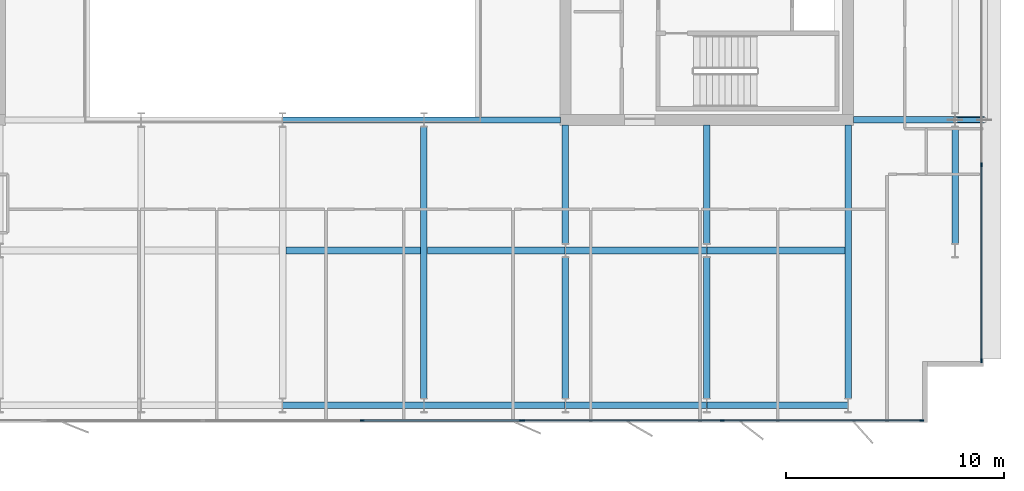
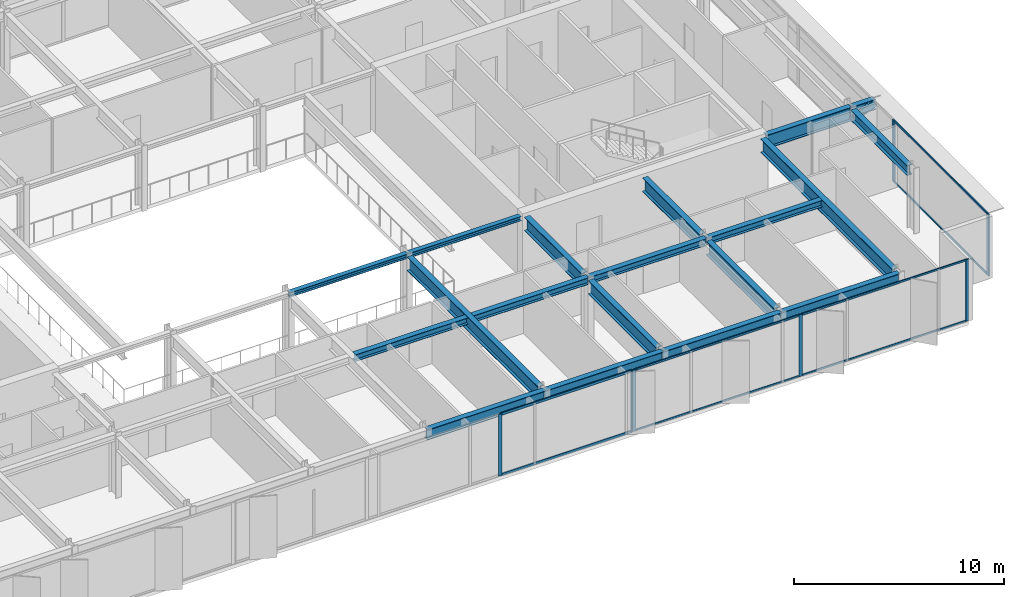
# One storey, part 6 of 19: 19 beams, 16 members, 3 elements without a shape of their own.
"""IFC4 building model written with IfcOpenShell, lengths in metres."""

from ifc_helpers import new_model, si_unit, direction, frame, origin, origin_2d, place, context, subcontext, project, spatial, rectangle, hollow_rectangle, i_section, extrude, material, layer, layer_set, material_profile, profile_set, type_object, element, aggregate, save


model = new_model("IFC4")

# Units and contexts
model_context = context("Model", 3, precision=1e-05, world=origin(), true_north=direction((0.0, 1.0)))
body_context = subcontext(model_context, "Body", "Model", "MODEL_VIEW")
ifc_project = project(units=[si_unit("LENGTHUNIT", "METRE"), si_unit("AREAUNIT", "SQUARE_METRE"), si_unit("VOLUMEUNIT", "CUBIC_METRE"), si_unit("PLANEANGLEUNIT", "RADIAN"), si_unit("MASSUNIT", "GRAM", prefix="KILO")], contexts=[model_context])

# Site, building, storey
site_placement = place(None, origin())
site = spatial("IfcSite", under=ifc_project, at=site_placement, CompositionType="ELEMENT")
building_placement = place(site_placement, origin())
building = spatial("IfcBuilding", under=site, at=building_placement, Name="Putna Gate Headquarters", CompositionType="ELEMENT")
storey_placement = place(building_placement, frame((0.0, 0.0, 267.0)))
storey = spatial("IfcBuildingStorey", under=building, at=storey_placement, Name="L67", CompositionType="ELEMENT", Elevation=267.0)

# Beams
ifc_material_1 = material(Name="Steel S355J2", Category="steel")
ifc_material_profile_1 = material_profile(ifc_material_1, i_section(OverallWidth=0.260009765625, OverallDepth=0.260009765625, WebThickness=0.010009765625, FlangeThickness=0.017578125, at=origin_2d()), Name="Steel S355J2")
ifc_profile_set_1 = profile_set([ifc_material_profile_1], Name="Steel S355J2")
beam_type_1 = type_object("IfcBeamType", Name="BM-ATRIUM-HEB260", PredefinedType="BEAM", material=ifc_profile_set_1)
beam_1_placement = place(storey_placement, frame((39.006103515625, 19.0, 3.4580078125), z_axis=(1.0, 0.0, 0.0), x_axis=(0.0, 1.0, 0.0)))
element("IfcBeam", 1, at=beam_1_placement, inside=storey, type_object=beam_type_1, Name="L67 Atrium Edge Beam AS3", PredefinedType="BEAM", context=body_context, shape_type="SweptSolid", body=[
    extrude(i_section(OverallWidth=0.260009765625, OverallDepth=0.260009765625, WebThickness=0.010009765625, FlangeThickness=0.017578125, at=origin_2d()), origin(), (0.0, 0.0, 1.0), 6.48779296875),
])
beam_2_placement = place(storey_placement, frame((45.506103515625, 19.0, 3.4580078125), z_axis=(1.0, 0.0, 0.0), x_axis=(0.0, 1.0, 0.0)))
element("IfcBeam", 2, at=beam_2_placement, inside=storey, type_object=beam_type_1, Name="L67 Atrium Edge Beam AS4", PredefinedType="BEAM", context=body_context, shape_type="SweptSolid", body=[
    extrude(i_section(OverallWidth=0.260009765625, OverallDepth=0.260009765625, WebThickness=0.010009765625, FlangeThickness=0.017578125, at=origin_2d()), origin(), (0.0, 0.0, 1.0), 6.2587890625),
])
ifc_material_profile_2 = material_profile(ifc_material_1, i_section(OverallWidth=0.300048828125, OverallDepth=0.800048828125, WebThickness=0.017578125, FlangeThickness=0.032958984375, at=origin_2d()), Name="Steel S355J2")
ifc_profile_set_2 = profile_set([ifc_material_profile_2], Name="Steel S355J2")
beam_type_2 = type_object("IfcBeamType", Name="BM-GIRD-P-HEB800", PredefinedType="USERDEFINED", material=ifc_profile_set_2)
beam_3_placement = place(storey_placement, frame((65.235107421875, 19.0, 3.18798828125), z_axis=(1.0, 0.0, 0.0), x_axis=(0.0, 1.0, 0.0)))
element("IfcBeam", 3, at=beam_3_placement, inside=storey, type_object=beam_type_2, Name="L67 East Wing Girder Y19", ObjectType="GIRDER", PredefinedType="USERDEFINED", context=body_context, shape_type="SweptSolid", body=[
    extrude(i_section(OverallWidth=0.300048828125, OverallDepth=0.800048828125, WebThickness=0.017578125, FlangeThickness=0.032958984375, at=origin_2d()), origin(), (0.0, 0.0, 1.0), 4.678955078125),
])
beam_4_placement = place(storey_placement, frame((45.5, 6.201904296875, 3.18798828125), z_axis=(0.0, 1.0, 0.0), x_axis=(-1.0, 0.0, 0.0)))
element("IfcBeam", 4, at=beam_4_placement, inside=storey, type_object=beam_type_2, Name="L67 South Primary Girder X45", ObjectType="GIRDER", PredefinedType="USERDEFINED", context=body_context, shape_type="SweptSolid", body=[
    extrude(i_section(OverallWidth=0.300048828125, OverallDepth=0.800048828125, WebThickness=0.017578125, FlangeThickness=0.032958984375, at=origin_2d()), origin(), (0.0, 0.0, 1.0), 12.47607421875),
])
beam_5_placement = place(storey_placement, frame((52.0, 6.201904296875, 3.18798828125), z_axis=(0.0, 1.0, 0.0), x_axis=(-1.0, 0.0, 0.0)))
element("IfcBeam", 5, at=beam_5_placement, inside=storey, type_object=beam_type_2, Name="L67 South Primary Girder X52-1", ObjectType="GIRDER", PredefinedType="USERDEFINED", context=body_context, shape_type="SweptSolid", body=[
    extrude(i_section(OverallWidth=0.300048828125, OverallDepth=0.800048828125, WebThickness=0.017578125, FlangeThickness=0.032958984375, at=origin_2d()), origin(), (0.0, 0.0, 1.0), 6.47607421875),
])
beam_6_placement = place(storey_placement, frame((52.0, 13.322021484375, 3.18798828125), z_axis=(0.0, 1.0, 0.0), x_axis=(-1.0, 0.0, 0.0)))
element("IfcBeam", 6, at=beam_6_placement, inside=storey, type_object=beam_type_2, Name="L67 South Primary Girder X52-2", ObjectType="GIRDER", PredefinedType="USERDEFINED", context=body_context, shape_type="SweptSolid", body=[
    extrude(i_section(OverallWidth=0.300048828125, OverallDepth=0.800048828125, WebThickness=0.017578125, FlangeThickness=0.032958984375, at=origin_2d()), origin(), (0.0, 0.0, 1.0), 5.44287109375),
])
beam_7_placement = place(storey_placement, frame((58.5, 6.201904296875, 3.18798828125), z_axis=(0.0, 1.0, 0.0), x_axis=(-1.0, 0.0, 0.0)))
element("IfcBeam", 7, at=beam_7_placement, inside=storey, type_object=beam_type_2, Name="L67 South Primary Girder X58-1", ObjectType="GIRDER", PredefinedType="USERDEFINED", context=body_context, shape_type="SweptSolid", body=[
    extrude(i_section(OverallWidth=0.300048828125, OverallDepth=0.800048828125, WebThickness=0.017578125, FlangeThickness=0.032958984375, at=origin_2d()), origin(), (0.0, 0.0, 1.0), 6.47607421875),
])
beam_8_placement = place(storey_placement, frame((58.5, 13.322021484375, 3.18798828125), z_axis=(0.0, 1.0, 0.0), x_axis=(-1.0, 0.0, 0.0)))
element("IfcBeam", 8, at=beam_8_placement, inside=storey, type_object=beam_type_2, Name="L67 South Primary Girder X58-2", ObjectType="GIRDER", PredefinedType="USERDEFINED", context=body_context, shape_type="SweptSolid", body=[
    extrude(i_section(OverallWidth=0.300048828125, OverallDepth=0.800048828125, WebThickness=0.017578125, FlangeThickness=0.032958984375, at=origin_2d()), origin(), (0.0, 0.0, 1.0), 5.44287109375),
])
beam_9_placement = place(storey_placement, frame((65.0, 6.201904296875, 3.18798828125), z_axis=(0.0, 1.0, 0.0), x_axis=(-1.0, 0.0, 0.0)))
element("IfcBeam", 9, at=beam_9_placement, inside=storey, type_object=beam_type_2, Name="L67 South Primary Girder X65", ObjectType="GIRDER", PredefinedType="USERDEFINED", context=body_context, shape_type="SweptSolid", body=[
    extrude(i_section(OverallWidth=0.300048828125, OverallDepth=0.800048828125, WebThickness=0.017578125, FlangeThickness=0.032958984375, at=origin_2d()), origin(), (0.0, 0.0, 1.0), 12.56298828125),
])
ifc_material_profile_3 = material_profile(ifc_material_1, i_section(OverallWidth=0.300048828125, OverallDepth=0.60009765625, WebThickness=0.015380859375, FlangeThickness=0.030029296875, at=origin_2d()), Name="Steel S355J2")
ifc_profile_set_3 = profile_set([ifc_material_profile_3], Name="Steel S355J2")
beam_type_3 = type_object("IfcBeamType", Name="BM-GIRD-SAIL-HEB600", PredefinedType="USERDEFINED", material=ifc_profile_set_3)
beam_10_placement = place(storey_placement, frame((69.926025390625, 19.0, 3.2880859375), z_axis=(1.0, 0.0, 0.0), x_axis=(0.0, 1.0, 0.0)))
element("IfcBeam", 10, at=beam_10_placement, inside=storey, type_object=beam_type_3, Name="L67 East Sail Outrigger Bracket Y19", ObjectType="GIRDER", PredefinedType="USERDEFINED", context=body_context, shape_type="SweptSolid", body=[
    extrude(i_section(OverallWidth=0.300048828125, OverallDepth=0.60009765625, WebThickness=0.015380859375, FlangeThickness=0.030029296875, at=origin_2d()), origin(), (0.0, 0.0, 1.0), 1.336669921875),
])
ifc_material_profile_4 = material_profile(ifc_material_1, i_section(OverallWidth=0.300048828125, OverallDepth=0.389892578125, WebThickness=0.010986328125, FlangeThickness=0.01904296875, at=origin_2d()), Name="Steel S355J2")
ifc_profile_set_4 = profile_set([ifc_material_profile_4], Name="Steel S355J2")
beam_type_4 = type_object("IfcBeamType", Name="BM-SEC-Z5-HEA400", PredefinedType="BEAM", material=ifc_profile_set_4)
beam_11_placement = place(storey_placement, frame((39.154052734375, 13.0, 3.39306640625), z_axis=(1.0, 0.0, 0.0), x_axis=(0.0, 1.0, 0.0)))
element("IfcBeam", 11, at=beam_11_placement, inside=storey, type_object=beam_type_4, Name="L67 South Secondary Beam 5", PredefinedType="BEAM", context=body_context, shape_type="SweptSolid", body=[
    extrude(i_section(OverallWidth=0.300048828125, OverallDepth=0.389892578125, WebThickness=0.010986328125, FlangeThickness=0.01904296875, at=origin_2d()), origin(), (0.0, 0.0, 1.0), 6.19189453125),
])
beam_12_placement = place(storey_placement, frame((45.654052734375, 13.0, 3.39306640625), z_axis=(1.0, 0.0, 0.0), x_axis=(0.0, 1.0, 0.0)))
element("IfcBeam", 12, at=beam_12_placement, inside=storey, type_object=beam_type_4, Name="L67 South Secondary Beam 6", PredefinedType="BEAM", context=body_context, shape_type="SweptSolid", body=[
    extrude(i_section(OverallWidth=0.300048828125, OverallDepth=0.389892578125, WebThickness=0.010986328125, FlangeThickness=0.01904296875, at=origin_2d()), origin(), (0.0, 0.0, 1.0), 6.33984375),
])
beam_13_placement = place(storey_placement, frame((52.006103515625, 13.0, 3.39306640625), z_axis=(1.0, 0.0, 0.0), x_axis=(0.0, 1.0, 0.0)))
element("IfcBeam", 13, at=beam_13_placement, inside=storey, type_object=beam_type_4, Name="L67 South Secondary Beam 7", PredefinedType="BEAM", context=body_context, shape_type="SweptSolid", body=[
    extrude(i_section(OverallWidth=0.300048828125, OverallDepth=0.389892578125, WebThickness=0.010986328125, FlangeThickness=0.01904296875, at=origin_2d()), origin(), (0.0, 0.0, 1.0), 6.48779296875),
])
beam_14_placement = place(storey_placement, frame((58.506103515625, 13.0, 3.39306640625), z_axis=(1.0, 0.0, 0.0), x_axis=(0.0, 1.0, 0.0)))
element("IfcBeam", 14, at=beam_14_placement, inside=storey, type_object=beam_type_4, Name="L67 South Secondary Beam 8", PredefinedType="BEAM", context=body_context, shape_type="SweptSolid", body=[
    extrude(i_section(OverallWidth=0.300048828125, OverallDepth=0.389892578125, WebThickness=0.010986328125, FlangeThickness=0.01904296875, at=origin_2d()), origin(), (0.0, 0.0, 1.0), 6.33984375),
])
ifc_material_profile_5 = material_profile(ifc_material_1, i_section(OverallWidth=0.300048828125, OverallDepth=0.590087890625, WebThickness=0.012939453125, FlangeThickness=0.02490234375, at=origin_2d()), Name="Steel S355J2")
ifc_profile_set_5 = profile_set([ifc_material_profile_5], Name="Steel S355J2")
beam_type_5 = type_object("IfcBeamType", Name="BM-SPAN-Z4-HEA600", PredefinedType="SPANDREL", material=ifc_profile_set_5)
for number, where, z_axis, x_axis, name in (
    (15, (39.006103515625, 5.8798828125, 3.29296875), (1.0, 0.0, 0.0), (0.0, 1.0, 0.0), "L67 S Perimeter Spandrel 5"),
    (16, (45.506103515625, 5.8798828125, 3.29296875), (1.0, 0.0, 0.0), (0.0, 1.0, 0.0), "L67 S Perimeter Spandrel 6"),
    (17, (52.006103515625, 5.8798828125, 3.29296875), (1.0, 0.0, 0.0), (0.0, 1.0, 0.0), "L67 S Perimeter Spandrel 7"),
    (18, (58.506103515625, 5.8798828125, 3.29296875), (1.0, 0.0, 0.0), (0.0, 1.0, 0.0), "L67 S Perimeter Spandrel 8"),
):
    element("IfcBeam", number, at=place(storey_placement, frame(where, z_axis=z_axis, x_axis=x_axis)), inside=storey, type_object=beam_type_5, Name=name, PredefinedType="SPANDREL", context=body_context, shape_type="SweptSolid", body=[
        extrude(i_section(OverallWidth=0.300048828125, OverallDepth=0.590087890625, WebThickness=0.012939453125, FlangeThickness=0.02490234375, at=origin_2d()), origin(), (0.0, 0.0, 1.0), 6.48779296875),
    ])
beam_15_placement = place(storey_placement, frame((69.919921875, 13.322021484375, 3.29296875), z_axis=(0.0, 1.0, 0.0), x_axis=(-1.0, 0.0, 0.0)))
element("IfcBeam", 19, at=beam_15_placement, inside=storey, type_object=beam_type_5, Name="L67 E End Spandrel 1", PredefinedType="SPANDREL", context=body_context, shape_type="SweptSolid", body=[
    extrude(i_section(OverallWidth=0.300048828125, OverallDepth=0.590087890625, WebThickness=0.012939453125, FlangeThickness=0.02490234375, at=origin_2d()), origin(), (0.0, 0.0, 1.0), 5.35595703125),
])

# Member
ifc_material_2 = material(Name="Steel S460M", Category="steel")
ifc_material_profile_6 = material_profile(ifc_material_2, hollow_rectangle(XDim=0.25, YDim=0.39990234375, WallThickness=0.01611328125, at=origin_2d()), Name="Steel S460M")
ifc_profile_set_6 = profile_set([ifc_material_profile_6], Name="Steel S460M")
member_type_1 = type_object("IfcMemberType", Name="MEM-SAIL-BRACE-RHS400", PredefinedType="BRACE", material=ifc_profile_set_6)
member_1_placement = place(storey_placement, frame((69.93310546875, 19.0, 2.75830078125), z_axis=(0.907794843181, 0.0, 0.41941449986), x_axis=(0.0, 1.0, 0.0)))
element("IfcMember", 20, at=member_1_placement, inside=storey, type_object=member_type_1, Name="L67 East Sail Cantilever Raker Y19", PredefinedType="BRACE", context=body_context, shape_type="SweptSolid", body=[
    extrude(hollow_rectangle(XDim=0.25, YDim=0.39990234375, WallThickness=0.01611328125, at=origin_2d()), origin(), (0.0, 0.0, 1.0), 1.43359375),
])

# Curtain wall, members
ifc_material_3 = material(Name="Anodised bronze aluminium curtain wall", Category="aluminium")
ifc_layer_1 = layer(ifc_material_3, 0.179931640625)
ifc_layer_set_1 = layer_set([ifc_layer_1], Name="Anodised bronze aluminium curtain wall")
curtain_wall_type_1 = type_object("IfcCurtainWallType", Name="CW-SYS-Z5", PredefinedType="USERDEFINED", material=ifc_layer_set_1)
curtain_wall_1_placement = place(storey_placement, origin())
curtain_wall_1 = element("IfcCurtainWall", 21, at=curtain_wall_1_placement, inside=storey, type_object=curtain_wall_type_1, Name="L67 South East Curtain Wall", ObjectType="STICK CURTAIN WALL", PredefinedType="USERDEFINED")
ifc_material_4 = material(Name="Anodised bronze aluminium EN AW-6060", Category="aluminium")
ifc_material_profile_7 = material_profile(ifc_material_4, rectangle(XDim=0.070068359375, YDim=0.179931640625, at=origin_2d()), Name="Anodised bronze aluminium EN AW-6060")
ifc_profile_set_7 = profile_set([ifc_material_profile_7], Name="Anodised bronze aluminium EN AW-6060")
member_type_2 = type_object("IfcMemberType", Name="MULL-CWM-5", PredefinedType="MULLION", material=ifc_profile_set_7)
member_2_placement = place(storey_placement, frame((50.034912109375, 5.179931640625, 0.0), z_axis=(0.0, 0.0, 1.0), x_axis=(0.0, 1.0, 0.0)))
member_2 = element("IfcMember", 22, at=member_2_placement, type_object=member_type_2, Name="CWS-5 mullion 1", PredefinedType="MULLION", context=body_context, shape_type="SweptSolid", body=[
    extrude(rectangle(XDim=0.070068359375, YDim=0.179931640625, at=origin_2d()), origin(), (0.0, 0.0, 1.0), 3.587890625),
])
member_3_placement = place(storey_placement, frame((59.20751953125, 5.179931640625, 0.0), z_axis=(0.0, 0.0, 1.0), x_axis=(0.0, 1.0, 0.0)))
member_3 = element("IfcMember", 23, at=member_3_placement, type_object=member_type_2, Name="CWS-5 mullion 2", PredefinedType="MULLION", context=body_context, shape_type="SweptSolid", body=[
    extrude(rectangle(XDim=0.070068359375, YDim=0.179931640625, at=origin_2d()), origin(), (0.0, 0.0, 1.0), 3.587890625),
])
member_4_placement = place(storey_placement, frame((68.3798828125, 5.179931640625, 0.0), z_axis=(0.0, 0.0, 1.0), x_axis=(0.0, 1.0, 0.0)))
member_4 = element("IfcMember", 24, at=member_4_placement, type_object=member_type_2, Name="CWS-5 mullion 3", PredefinedType="MULLION", context=body_context, shape_type="SweptSolid", body=[
    extrude(rectangle(XDim=0.070068359375, YDim=0.179931640625, at=origin_2d()), origin(), (0.0, 0.0, 1.0), 3.587890625),
])

curtain_wall_2_placement = place(storey_placement, origin())
curtain_wall_2 = element("IfcCurtainWall", 25, at=curtain_wall_2_placement, inside=storey, type_object=curtain_wall_type_1, Name="L67 East Curtain Wall", ObjectType="STICK CURTAIN WALL", PredefinedType="USERDEFINED")
member_5_placement = place(storey_placement, frame((71.135009765625, 7.93505859375, 0.0), z_axis=(0.0, 0.0, 1.0), x_axis=(-1.0, 0.0, 0.0)))
member_5 = element("IfcMember", 26, at=member_5_placement, type_object=member_type_2, Name="CWS-5 mullion 1", PredefinedType="MULLION", context=body_context, shape_type="SweptSolid", body=[
    extrude(rectangle(XDim=0.070068359375, YDim=0.179931640625, at=origin_2d()), origin(), (0.0, 0.0, 1.0), 3.587890625),
])
member_6_placement = place(storey_placement, frame((71.135009765625, 16.949951171875, 0.0), z_axis=(0.0, 0.0, 1.0), x_axis=(-1.0, 0.0, 0.0)))
member_6 = element("IfcMember", 27, at=member_6_placement, type_object=member_type_2, Name="CWS-5 mullion 2", PredefinedType="MULLION", context=body_context, shape_type="SweptSolid", body=[
    extrude(rectangle(XDim=0.070068359375, YDim=0.179931640625, at=origin_2d()), origin(), (0.0, 0.0, 1.0), 3.587890625),
])

ifc_layer_2 = layer(ifc_material_3, 0.179931640625)
ifc_layer_set_2 = layer_set([ifc_layer_2], Name="Anodised bronze aluminium curtain wall")
curtain_wall_type_2 = type_object("IfcCurtainWallType", Name="CW-SYS-ATR", PredefinedType="USERDEFINED", material=ifc_layer_set_2)
curtain_wall_3_placement = place(storey_placement, origin())
curtain_wall_3 = element("IfcCurtainWall", 28, at=curtain_wall_3_placement, inside=storey, type_object=curtain_wall_type_2, Name="L67 South Atrium Clear Glazing", ObjectType="ATRIUM GLAZING", PredefinedType="USERDEFINED")
ifc_material_profile_8 = material_profile(ifc_material_4, rectangle(XDim=0.070068359375, YDim=0.179931640625, at=origin_2d()), Name="Anodised bronze aluminium EN AW-6060")
ifc_profile_set_8 = profile_set([ifc_material_profile_8], Name="Anodised bronze aluminium EN AW-6060")
member_type_3 = type_object("IfcMemberType", Name="MULL-CWM-AT", PredefinedType="MULLION", material=ifc_profile_set_8)
member_7_placement = place(storey_placement, frame((42.666748046875, 5.179931640625, 0.0), z_axis=(0.0, 0.0, 1.0), x_axis=(0.0, 1.0, 0.0)))
member_7 = element("IfcMember", 29, at=member_7_placement, type_object=member_type_3, Name="CWS-AT mullion 3", PredefinedType="MULLION", context=body_context, shape_type="SweptSolid", body=[
    extrude(rectangle(XDim=0.070068359375, YDim=0.179931640625, at=origin_2d()), origin(), (0.0, 0.0, 1.0), 3.587890625),
])
member_8_placement = place(storey_placement, frame((49.965087890625, 5.179931640625, 0.0), z_axis=(0.0, 0.0, 1.0), x_axis=(0.0, 1.0, 0.0)))
member_8 = element("IfcMember", 30, at=member_8_placement, type_object=member_type_3, Name="CWS-AT mullion 4", PredefinedType="MULLION", context=body_context, shape_type="SweptSolid", body=[
    extrude(rectangle(XDim=0.070068359375, YDim=0.179931640625, at=origin_2d()), origin(), (0.0, 0.0, 1.0), 3.587890625),
])

# Member
ifc_material_profile_9 = material_profile(ifc_material_4, rectangle(XDim=0.06005859375, YDim=0.10009765625, at=origin_2d()), Name="Anodised bronze aluminium EN AW-6060")
ifc_profile_set_9 = profile_set([ifc_material_profile_9], Name="Anodised bronze aluminium EN AW-6060")
member_type_4 = type_object("IfcMemberType", Name="TRAN-CWT-5", PredefinedType="USERDEFINED", material=ifc_profile_set_9)
member_9_placement = place(storey_placement, frame((50.070068359375, 5.179931640625, 0.030029296875), z_axis=(1.0, 0.0, 0.0), x_axis=(0.0, 1.0, 0.0)))
member_9 = element("IfcMember", 31, at=member_9_placement, type_object=member_type_4, Name="CWS-5 transom 1.1", ObjectType="TRANSOM", PredefinedType="USERDEFINED", context=body_context, shape_type="SweptSolid", body=[
    extrude(rectangle(XDim=0.06005859375, YDim=0.10009765625, at=origin_2d()), origin(), (0.0, 0.0, 1.0), 9.1025390625),
])

member_10_placement = place(storey_placement, frame((50.070068359375, 5.179931640625, 3.55810546875), z_axis=(1.0, 0.0, 0.0), x_axis=(0.0, 1.0, 0.0)))
member_10 = element("IfcMember", 32, at=member_10_placement, type_object=member_type_4, Name="CWS-5 transom 1.2", ObjectType="TRANSOM", PredefinedType="USERDEFINED", context=body_context, shape_type="SweptSolid", body=[
    extrude(rectangle(XDim=0.06005859375, YDim=0.10009765625, at=origin_2d()), origin(), (0.0, 0.0, 1.0), 9.1025390625),
])

member_11_placement = place(storey_placement, frame((59.242431640625, 5.179931640625, 0.030029296875), z_axis=(1.0, 0.0, 0.0), x_axis=(0.0, 1.0, 0.0)))
member_11 = element("IfcMember", 33, at=member_11_placement, type_object=member_type_4, Name="CWS-5 transom 2.1", ObjectType="TRANSOM", PredefinedType="USERDEFINED", context=body_context, shape_type="SweptSolid", body=[
    extrude(rectangle(XDim=0.06005859375, YDim=0.10009765625, at=origin_2d()), origin(), (0.0, 0.0, 1.0), 9.1025390625),
])

member_12_placement = place(storey_placement, frame((59.242431640625, 5.179931640625, 3.55810546875), z_axis=(1.0, 0.0, 0.0), x_axis=(0.0, 1.0, 0.0)))
member_12 = element("IfcMember", 34, at=member_12_placement, type_object=member_type_4, Name="CWS-5 transom 2.2", ObjectType="TRANSOM", PredefinedType="USERDEFINED", context=body_context, shape_type="SweptSolid", body=[
    extrude(rectangle(XDim=0.06005859375, YDim=0.10009765625, at=origin_2d()), origin(), (0.0, 0.0, 1.0), 9.1025390625),
])

aggregate(curtain_wall_1, [member_2, member_3, member_4, member_9, member_10, member_11, member_12])

member_13_placement = place(storey_placement, frame((71.135009765625, 7.969970703125, 0.030029296875), z_axis=(0.0, 1.0, 0.0), x_axis=(-1.0, 0.0, 0.0)))
member_13 = element("IfcMember", 35, at=member_13_placement, type_object=member_type_4, Name="CWS-5 transom 1.1", ObjectType="TRANSOM", PredefinedType="USERDEFINED", context=body_context, shape_type="SweptSolid", body=[
    extrude(rectangle(XDim=0.06005859375, YDim=0.10009765625, at=origin_2d()), origin(), (0.0, 0.0, 1.0), 8.945068359375),
])

member_14_placement = place(storey_placement, frame((71.135009765625, 7.969970703125, 3.55810546875), z_axis=(0.0, 1.0, 0.0), x_axis=(-1.0, 0.0, 0.0)))
member_14 = element("IfcMember", 36, at=member_14_placement, type_object=member_type_4, Name="CWS-5 transom 1.2", ObjectType="TRANSOM", PredefinedType="USERDEFINED", context=body_context, shape_type="SweptSolid", body=[
    extrude(rectangle(XDim=0.06005859375, YDim=0.10009765625, at=origin_2d()), origin(), (0.0, 0.0, 1.0), 8.945068359375),
])

aggregate(curtain_wall_2, [member_5, member_6, member_13, member_14])

ifc_material_profile_10 = material_profile(ifc_material_4, rectangle(XDim=0.070068359375, YDim=0.139892578125, at=origin_2d()), Name="Anodised bronze aluminium EN AW-6060")
ifc_profile_set_10 = profile_set([ifc_material_profile_10], Name="Anodised bronze aluminium EN AW-6060")
member_type_5 = type_object("IfcMemberType", Name="TRAN-CWT-AT", PredefinedType="USERDEFINED", material=ifc_profile_set_10)
member_15_placement = place(storey_placement, frame((42.70166015625, 5.179931640625, 0.034912109375), z_axis=(1.0, 0.0, 0.0), x_axis=(0.0, 1.0, 0.0)))
member_15 = element("IfcMember", 37, at=member_15_placement, type_object=member_type_5, Name="CWS-AT transom 3.1", ObjectType="TRANSOM", PredefinedType="USERDEFINED", context=body_context, shape_type="SweptSolid", body=[
    extrude(rectangle(XDim=0.070068359375, YDim=0.139892578125, at=origin_2d()), origin(), (0.0, 0.0, 1.0), 7.228271484375),
])

member_16_placement = place(storey_placement, frame((42.70166015625, 5.179931640625, 3.552978515625), z_axis=(1.0, 0.0, 0.0), x_axis=(0.0, 1.0, 0.0)))
member_16 = element("IfcMember", 38, at=member_16_placement, type_object=member_type_5, Name="CWS-AT transom 3.2", ObjectType="TRANSOM", PredefinedType="USERDEFINED", context=body_context, shape_type="SweptSolid", body=[
    extrude(rectangle(XDim=0.070068359375, YDim=0.139892578125, at=origin_2d()), origin(), (0.0, 0.0, 1.0), 7.228271484375),
])

aggregate(curtain_wall_3, [member_7, member_8, member_15, member_16])

save(model, "model.ifc")
